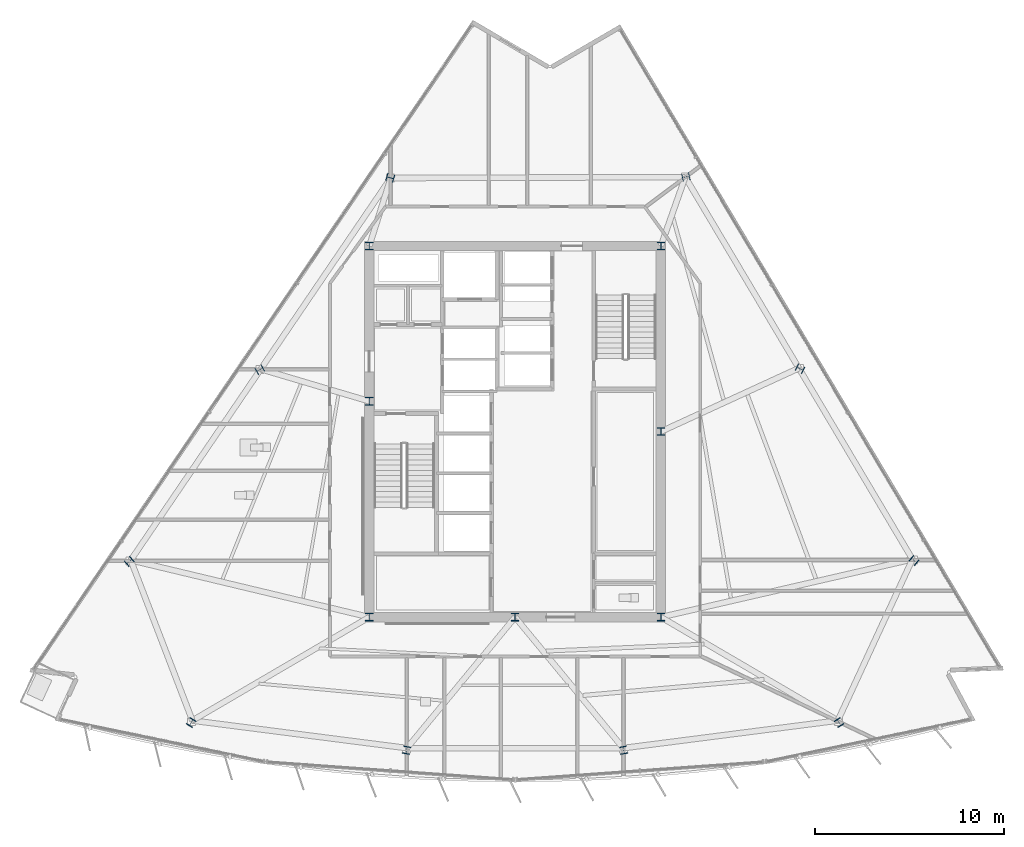
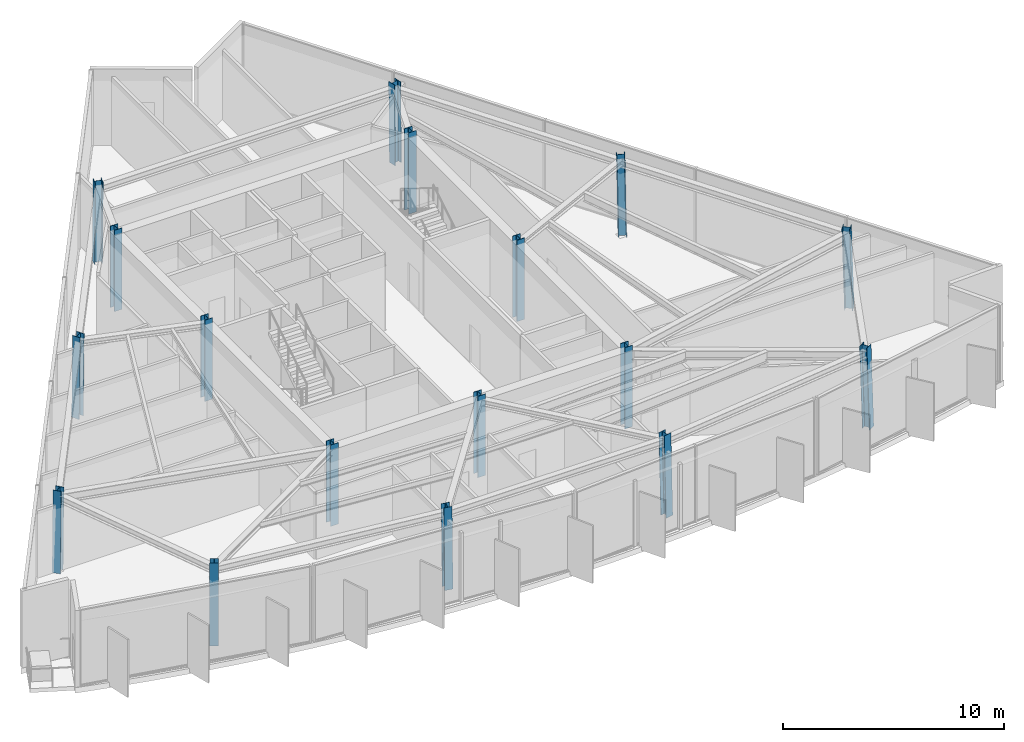
# One storey, part 1 of 13: 17 columns.
"""IFC4 building model written with IfcOpenShell, lengths in metres."""

from ifc_helpers import new_model, si_unit, direction, frame, origin, origin_2d, place, context, subcontext, project, spatial, i_section, extrude, material, material_profile, profile_set, type_object, element, save


model = new_model("IFC4")

# Units and contexts
model_context = context("Model", 3, precision=1e-05, world=origin(), true_north=direction((0.0, 1.0)))
body_context = subcontext(model_context, "Body", "Model", "MODEL_VIEW")
ifc_project = project(units=[si_unit("LENGTHUNIT", "METRE"), si_unit("AREAUNIT", "SQUARE_METRE"), si_unit("VOLUMEUNIT", "CUBIC_METRE"), si_unit("PLANEANGLEUNIT", "RADIAN"), si_unit("MASSUNIT", "GRAM", prefix="KILO")], contexts=[model_context])

# Site, building, storey
site_placement = place(None, origin())
site = spatial("IfcSite", under=ifc_project, at=site_placement, CompositionType="ELEMENT")
building_placement = place(site_placement, origin())
building = spatial("IfcBuilding", under=site, at=building_placement, Name="Savorim Split Tower", CompositionType="ELEMENT")
storey_placement = place(building_placement, frame((0.0, 0.0, 190.199951171875)))
storey = spatial("IfcBuildingStorey", under=building, at=storey_placement, Name="L50", CompositionType="ELEMENT", Elevation=190.199951171875)

# Columns
ifc_material_1 = material(Name="Steel S355", Category="steel")
ifc_material_profile_1 = material_profile(ifc_material_1, i_section(OverallWidth=0.39794921875, OverallDepth=0.386962890625, WebThickness=0.013427734375, FlangeThickness=0.02197265625, FilletRadius=0.014892578125, at=origin_2d()), Name="HD 400x262")
ifc_profile_set_1 = profile_set([ifc_material_profile_1], Name="Steel S355")
column_type_1 = type_object("IfcColumnType", Name="COL-HD-262", PredefinedType="COLUMN", material=ifc_profile_set_1)
column_1_placement = place(storey_placement, frame((-17.1162109375, -14.980712890625, 0.005615234375), z_axis=(0.016470879208, 0.026799153299, 0.999505135315), x_axis=(-0.851954850327, 0.523615252838, 0.0)))
element("IfcColumn", 1, at=column_1_placement, inside=storey, type_object=column_type_1, Name="L50 Tapered Perimeter Column PC-S1", PredefinedType="COLUMN", context=body_context, shape_type="SweptSolid", body=[
    extrude(i_section(OverallWidth=0.39794921875, OverallDepth=0.386962890625, WebThickness=0.013427734375, FlangeThickness=0.02197265625, FilletRadius=0.014892578125, at=origin_2d()), origin(), (0.0, 0.0, 1.0), 4.4912109375),
])
for number, where, z_axis, x_axis, name in (
    (2, (-5.736572265625, -16.441650390625, 0.005615234375), (0.005490750085, 0.028160480633, 0.999588334763), (-0.981516643497, 0.191376797284, 0.0), "L50 Tapered Perimeter Column PC-S2"),
    (3, (5.736572265625, -16.441650390625, 0.005615234375), (-0.005490750085, 0.028160480633, 0.999588334763), (-0.981516643497, -0.191376797284, 0.0), "L50 Tapered Perimeter Column PC-S3"),
):
    element("IfcColumn", number, at=place(storey_placement, frame(where, z_axis=z_axis, x_axis=x_axis)), inside=storey, type_object=column_type_1, Name=name, PredefinedType="COLUMN", context=body_context, shape_type="SweptSolid", body=[
        extrude(i_section(OverallWidth=0.39794921875, OverallDepth=0.386962890625, WebThickness=0.013427734375, FlangeThickness=0.02197265625, FilletRadius=0.014892578125, at=origin_2d()), origin(), (0.0, 0.0, 1.0), 4.490966796875),
    ])
column_2_placement = place(storey_placement, frame((17.1162109375, -14.980712890625, 0.005615234375), z_axis=(-0.016470879208, 0.026799153299, 0.999505135315), x_axis=(-0.851954850327, -0.523615252838, 0.0)))
element("IfcColumn", 4, at=column_2_placement, inside=storey, type_object=column_type_1, Name="L50 Tapered Perimeter Column PC-S4", PredefinedType="COLUMN", context=body_context, shape_type="SweptSolid", body=[
    extrude(i_section(OverallWidth=0.39794921875, OverallDepth=0.386962890625, WebThickness=0.013427734375, FlangeThickness=0.02197265625, FilletRadius=0.014892578125, at=origin_2d()), origin(), (0.0, 0.0, 1.0), 4.4912109375),
])
column_3_placement = place(storey_placement, frame((21.077392578125, -6.419677734375, 0.005615234375), z_axis=(-0.020876646911, 0.017288473223, 0.999632569651), x_axis=(-0.637813971185, -0.770190455771, 0.0)))
element("IfcColumn", 5, at=column_3_placement, inside=storey, type_object=column_type_1, Name="L50 Tapered Perimeter Column PC-E1", PredefinedType="COLUMN", context=body_context, shape_type="SweptSolid", body=[
    extrude(i_section(OverallWidth=0.39794921875, OverallDepth=0.386962890625, WebThickness=0.013427734375, FlangeThickness=0.02197265625, FilletRadius=0.014892578125, at=origin_2d()), origin(), (0.0, 0.0, 1.0), 4.49072265625),
])
column_4_placement = place(storey_placement, frame((15.0517578125, 3.7138671875, 0.005615234375), z_axis=(-0.015171571571, 0.007667353375, 0.999855507115), x_axis=(-0.451048184688, -0.89249959949, 0.0)))
element("IfcColumn", 6, at=column_4_placement, inside=storey, type_object=column_type_1, Name="L50 Tapered Perimeter Column PC-E2", PredefinedType="COLUMN", context=body_context, shape_type="SweptSolid", body=[
    extrude(i_section(OverallWidth=0.39794921875, OverallDepth=0.386962890625, WebThickness=0.013427734375, FlangeThickness=0.02197265625, FilletRadius=0.014892578125, at=origin_2d()), origin(), (0.0, 0.0, 1.0), 4.48974609375),
])
column_5_placement = place(storey_placement, frame((9.02587890625, 13.847412109375, 0.005615234375), z_axis=(-0.009354007007, -0.002012199182, 0.999954225756), x_axis=(0.210305364179, -0.977635746993, 0.0)))
element("IfcColumn", 7, at=column_5_placement, inside=storey, type_object=column_type_1, Name="L50 Tapered Perimeter Column PC-E3", PredefinedType="COLUMN", context=body_context, shape_type="SweptSolid", body=[
    extrude(i_section(OverallWidth=0.39794921875, OverallDepth=0.386962890625, WebThickness=0.013427734375, FlangeThickness=0.02197265625, FilletRadius=0.014892578125, at=origin_2d()), origin(), (0.0, 0.0, 1.0), 4.4892578125),
])
column_6_placement = place(storey_placement, frame((-6.59765625, 13.798583984375, 0.005615234375), z_axis=(0.007015639536, -0.002012237696, 0.999973365496), x_axis=(0.275705143097, 0.961242255662, 0.0)))
element("IfcColumn", 8, at=column_6_placement, inside=storey, type_object=column_type_1, Name="L50 Tapered Perimeter Column PC-W1", PredefinedType="COLUMN", context=body_context, shape_type="SweptSolid", body=[
    extrude(i_section(OverallWidth=0.39794921875, OverallDepth=0.386962890625, WebThickness=0.013427734375, FlangeThickness=0.02197265625, FilletRadius=0.014892578125, at=origin_2d()), origin(), (0.0, 0.0, 1.0), 4.489013671875),
])
column_7_placement = place(storey_placement, frame((-13.4912109375, 3.6650390625, 0.005615234375), z_axis=(0.013540536906, 0.007667532947, 0.99987892407), x_axis=(-0.492748024369, 0.870172043035, 0.0)))
element("IfcColumn", 9, at=column_7_placement, inside=storey, type_object=column_type_1, Name="L50 Tapered Perimeter Column PC-W2", PredefinedType="COLUMN", context=body_context, shape_type="SweptSolid", body=[
    extrude(i_section(OverallWidth=0.39794921875, OverallDepth=0.386962890625, WebThickness=0.013427734375, FlangeThickness=0.02197265625, FilletRadius=0.014892578125, at=origin_2d()), origin(), (0.0, 0.0, 1.0), 4.489501953125),
])
column_8_placement = place(storey_placement, frame((-20.385009765625, -6.468505859375, 0.005615234375), z_axis=(0.020170177998, 0.017288723999, 0.999647069691), x_axis=(-0.650791373456, 0.759256602365, 0.0)))
element("IfcColumn", 10, at=column_8_placement, inside=storey, type_object=column_type_1, Name="L50 Tapered Perimeter Column PC-W3", PredefinedType="COLUMN", context=body_context, shape_type="SweptSolid", body=[
    extrude(i_section(OverallWidth=0.39794921875, OverallDepth=0.386962890625, WebThickness=0.013427734375, FlangeThickness=0.02197265625, FilletRadius=0.014892578125, at=origin_2d()), origin(), (0.0, 0.0, 1.0), 4.490478515625),
])
ifc_material_2 = material(Name="Steel S460", Category="steel")
ifc_material_profile_2 = material_profile(ifc_material_2, i_section(OverallWidth=0.404052734375, OverallDepth=0.406982421875, WebThickness=0.017333984375, FlangeThickness=0.028076171875, FilletRadius=0.014892578125, at=origin_2d()), Name="HD 400x347")
ifc_profile_set_2 = profile_set([ifc_material_profile_2], Name="Steel S460")
column_type_2 = type_object("IfcColumnType", Name="COL-HD-347", PredefinedType="COLUMN", material=ifc_profile_set_2)
for number, where, z_axis, x_axis, name in (
    (11, (-7.699951171875, -9.39990234375, 0.0), (0.0, 0.0, 1.0), (1.0, 0.0, 0.0), "L50 Core Structural Column TC-C1"),
    (12, (7.699951171875, -9.39990234375, 0.0), (0.0, 0.0, 1.0), (1.0, 0.0, 0.0), "L50 Core Structural Column TC-C2"),
    (13, (7.699951171875, 10.199951171875, 0.0), (0.0, 0.0, 1.0), (1.0, 0.0, 0.0), "L50 Core Structural Column TC-C3"),
    (14, (-7.699951171875, 10.199951171875, 0.0), (0.0, 0.0, 1.0), (1.0, 0.0, 0.0), "L50 Core Structural Column TC-C4"),
    (15, (0.0, -9.39990234375, 0.0), (0.0, 0.0, 1.0), (1.0, 0.0, 0.0), "L50 Core Structural Column TC-C5"),
    (16, (7.699951171875, 0.39990234375, 0.0), (0.0, 0.0, 1.0), (1.0, 0.0, 0.0), "L50 Core Structural Column TC-C6"),
    (17, (-7.699951171875, 2.0, 0.0), (0.0, 0.0, 1.0), (1.0, 0.0, 0.0), "L50 Core Structural Column TC-C7"),
):
    element("IfcColumn", number, at=place(storey_placement, frame(where, z_axis=z_axis, x_axis=x_axis)), inside=storey, type_object=column_type_2, Name=name, PredefinedType="COLUMN", context=body_context, shape_type="SweptSolid", body=[
        extrude(i_section(OverallWidth=0.404052734375, OverallDepth=0.406982421875, WebThickness=0.017333984375, FlangeThickness=0.028076171875, FilletRadius=0.014892578125, at=origin_2d()), origin(), (0.0, 0.0, 1.0), 4.5),
    ])

save(model, "model.ifc")
